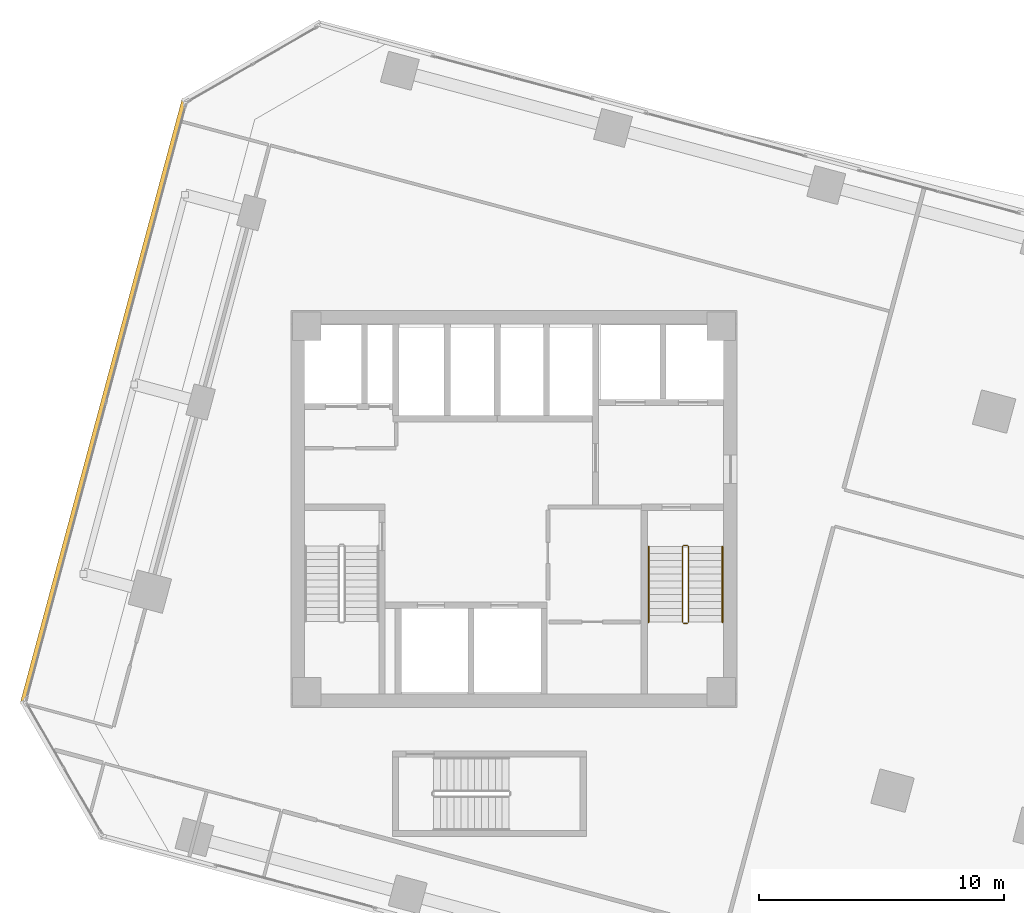
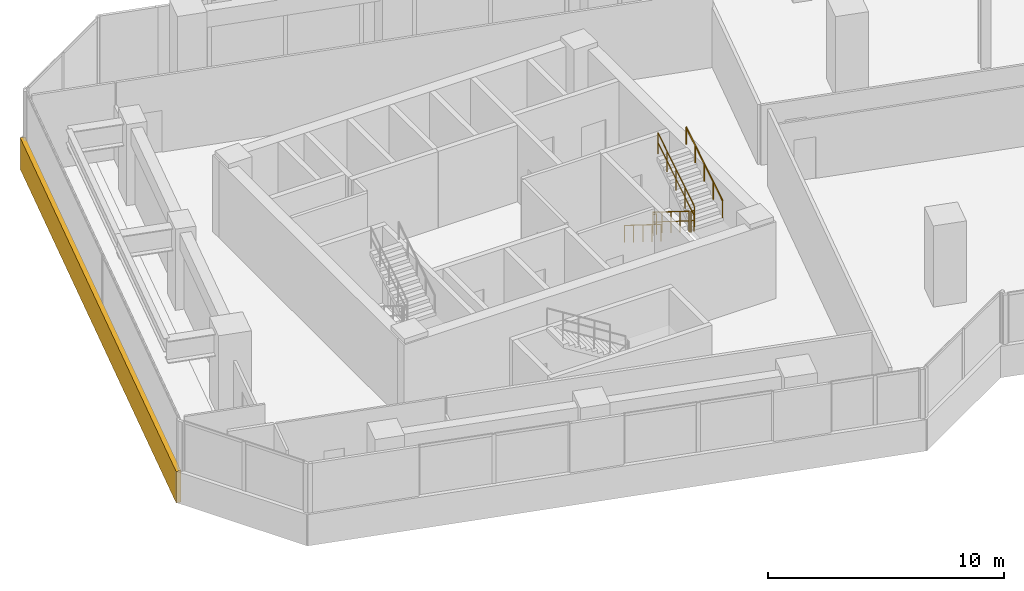
# One storey, part 23 of 26: 6 railings, 1 covering.
"""IFC4 building model written with IfcOpenShell, lengths in metres."""

import ifcopenshell
import ifcopenshell.guid

model = None  # the IFC model being written
_history = None  # IfcOwnerHistory: only IFC2X3 demands one
_inside = {}  # id of a spatial element -> (the spatial element, [elements in it])
_under = {}  # id of a project, library or spatial element -> (it, [spatial elements below it])
_declared = {}  # id of a project -> (the project, [libraries it declares])
_typed = {}  # id of a type object -> (the type object, [elements of that type])
_made_of = {}  # id of a material, layer set ... -> (it, [elements and type objects made of it])


def new_model(schema):
    """Start an empty IFC model of exactly this schema.

    Asked for "IFC4X3", IfcOpenShell would pick the latest addendum, in which some entities
    have other attributes; the version numbers below select the first issue.
    IFC2X3 requires an IfcOwnerHistory on every rooted entity: one is made here for all.
    """
    global model, _history
    if schema == "IFC4X3":
        model = ifcopenshell.file(schema_version=(4, 3, 0, 0))
    else:
        model = ifcopenshell.file(schema=schema)
    _inside.clear()
    _under.clear()
    _declared.clear()
    _typed.clear()
    _made_of.clear()
    _history = None
    if model.schema == "IFC2X3":
        org = make("IfcOrganization", Name="unknown")
        user = make(
            "IfcPersonAndOrganization",
            ThePerson=make("IfcPerson", FamilyName="unknown"),
            TheOrganization=org,
        )
        app = make(
            "IfcApplication",
            ApplicationDeveloper=org,
            Version="unknown",
            ApplicationFullName="unknown",
            ApplicationIdentifier="unknown",
        )
        _history = make(
            "IfcOwnerHistory",
            OwningUser=user,
            OwningApplication=app,
            ChangeAction="ADDED",
            CreationDate=0,
        )
    return model


def make(cls, **values):
    """One entity of the class cls with the attributes given. An attribute that is None is left unset."""
    return model.create_entity(
        cls, **{name: value for name, value in values.items() if value is not None}
    )


def rooted(cls, **values):
    """An entity with a GlobalId (a new one), such as an element, a storey or a relation."""
    return make(cls, GlobalId=ifcopenshell.guid.new(), OwnerHistory=_history, **values)


def si_unit(unit_type, name, prefix=None):
    """IfcSIUnit, for example si_unit("LENGTHUNIT", "METRE", prefix="MILLI")."""
    return make("IfcSIUnit", UnitType=unit_type, Prefix=prefix, Name=name)


def assignment(units):
    """IfcUnitAssignment: the units of a project."""
    return None if units is None else make("IfcUnitAssignment", Units=units)


def point(xyz):
    """IfcCartesianPoint."""
    return None if xyz is None else make("IfcCartesianPoint", Coordinates=xyz)


def direction(xyz):
    """IfcDirection."""
    return None if xyz is None else make("IfcDirection", DirectionRatios=xyz)


def frame(location, z_axis=None, x_axis=None):
    """IfcAxis2Placement3D, a coordinate frame: its origin and axes. An axis left out is left unset."""
    return make(
        "IfcAxis2Placement3D",
        Location=point(location),
        Axis=direction(z_axis),
        RefDirection=direction(x_axis),
    )


def frame_2d(location, x_axis=None):
    """IfcAxis2Placement2D, a coordinate frame in the plane: its origin and x axis."""
    return make(
        "IfcAxis2Placement2D", Location=point(location), RefDirection=direction(x_axis)
    )


def origin():
    """The frame at (0, 0, 0) with its axes left unset."""
    return frame((0.0, 0.0, 0.0))


def origin_2d():
    """The frame at (0, 0) in the plane with its x axis left unset."""
    return frame_2d((0.0, 0.0))


def place(relative_to, where):
    """IfcLocalPlacement: puts the frame where relative to a parent placement (None: the world)."""
    return make(
        "IfcLocalPlacement", PlacementRelTo=relative_to, RelativePlacement=where
    )


def context(
    kind, dimensions, precision=None, world=None, true_north=None, identifier=None
):
    """IfcGeometricRepresentationContext, for example the 3D "Model" context."""
    return make(
        "IfcGeometricRepresentationContext",
        ContextIdentifier=identifier,
        ContextType=kind,
        CoordinateSpaceDimension=dimensions,
        Precision=precision,
        WorldCoordinateSystem=world,
        TrueNorth=true_north,
    )


def subcontext(parent, identifier, kind, view, scale=None):
    """IfcGeometricRepresentationSubContext, for example "Body" below "Model"."""
    return make(
        "IfcGeometricRepresentationSubContext",
        ContextIdentifier=identifier,
        ContextType=kind,
        ParentContext=parent,
        TargetScale=scale,
        TargetView=view,
    )


def project(units=None, contexts=None):
    """IfcProject with its units and contexts."""
    return rooted(
        "IfcProject",
        Name="project",
        RepresentationContexts=contexts,
        UnitsInContext=assignment(units),
    )


def spatial(cls, under=None, at=None, **own):
    """A site, building, storey or space (cls), placed at a placement, below another one or the project."""
    s = rooted(cls, ObjectPlacement=at, **own)
    if under is not None:
        _under.setdefault(under.id(), (under, []))[1].append(s)
    return s


def profile(cls, at=None, kind="AREA", **sizes):
    """A parametric profile (cls). Its sizes go by their IFC names, for example OverallWidth=200.0."""
    return make(cls, ProfileType=kind, Position=at, **sizes)


def rectangle(**sizes):
    """IfcRectangleProfileDef."""
    return profile("IfcRectangleProfileDef", **sizes)


def circle(**sizes):
    """IfcCircleProfileDef."""
    return profile("IfcCircleProfileDef", **sizes)


def extrude(swept, where, along, depth):
    """IfcExtrudedAreaSolid: the profile swept, set in the frame where, extruded along a direction by depth."""
    return make(
        "IfcExtrudedAreaSolid",
        SweptArea=swept,
        Position=where,
        ExtrudedDirection=direction(along),
        Depth=depth,
    )


def shape(context_of_items, identifier, shape_type, items):
    """IfcShapeRepresentation: the items that make up one representation, for example the "Body"."""
    return make(
        "IfcShapeRepresentation",
        ContextOfItems=context_of_items,
        RepresentationIdentifier=identifier,
        RepresentationType=shape_type,
        Items=items,
    )


def source(mapping_origin, context_of_items, identifier, shape_type, items):
    """IfcRepresentationMap: a shape defined once, which mapped items show again and again."""
    return make(
        "IfcRepresentationMap",
        MappingOrigin=mapping_origin,
        MappedRepresentation=shape(context_of_items, identifier, shape_type, items),
    )


def transform(
    local_origin,
    x_axis=None,
    y_axis=None,
    z_axis=None,
    scale=None,
    scale2=None,
    scale3=None,
    uniform=True,
):
    """IfcCartesianTransformationOperator3D, or its non-uniform kind. x_axis, y_axis, z_axis: its Axis1, 2, 3."""
    if uniform:
        return make(
            "IfcCartesianTransformationOperator3D",
            Axis1=direction(x_axis),
            Axis2=direction(y_axis),
            LocalOrigin=point(local_origin),
            Scale=scale,
            Axis3=direction(z_axis),
        )
    return make(
        "IfcCartesianTransformationOperator3DnonUniform",
        Axis1=direction(x_axis),
        Axis2=direction(y_axis),
        LocalOrigin=point(local_origin),
        Scale=scale,
        Axis3=direction(z_axis),
        Scale2=scale2,
        Scale3=scale3,
    )


def mapped(mapping_source, mapping_target):
    """IfcMappedItem: shows the shape of a source again, moved by a transform."""
    return make(
        "IfcMappedItem", MappingSource=mapping_source, MappingTarget=mapping_target
    )


def material(Name=None, Category=None):
    """IfcMaterial."""
    return make("IfcMaterial", Name=Name, Category=Category)


def layer(
    of_material, thickness, ventilated=None, Name=None, Category=None, Priority=None
):
    """IfcMaterialLayer: one layer of a wall or slab, of a material (None: an air gap)."""
    return make(
        "IfcMaterialLayer",
        Material=of_material,
        LayerThickness=thickness,
        IsVentilated=ventilated,
        Name=Name,
        Category=Category,
        Priority=Priority,
    )


def layer_set(layers, Name=None):
    """IfcMaterialLayerSet."""
    return make("IfcMaterialLayerSet", MaterialLayers=layers, LayerSetName=Name)


def made_of(thing, what):
    """Note that an element or type object is made of a material, layer set ...; save() writes the relation."""
    if what is not None:
        _made_of.setdefault(what.id(), (what, []))[1].append(thing)
    return thing


def type_object(cls, material=None, **own):
    """A type object (cls), such as IfcWallType, which elements share."""
    return made_of(rooted(cls, **own), material)


def element(
    cls,
    number,
    at=None,
    inside=None,
    cuts=None,
    type_object=None,
    material=None,
    context=None,
    identifier="Body",
    shape_type=None,
    held_by="IfcProductDefinitionShape",
    body=None,
    shapes=None,
    **own,
):
    """One element of the class cls, such as IfcWall. Its Tag is "e" and its number.

    at: its placement. inside: the storey or other place that contains it. cuts: it is an
    opening in that element (IfcRelVoidsElement). A single representation is given by context,
    identifier, shape_type and body (its items); several are given by shapes. held_by: the class
    of the entity that holds the representations. save() writes the other relations.
    """
    e = rooted(cls, Tag="e%d" % number, ObjectPlacement=at, **own)
    if body is not None:
        shapes = [shape(context, identifier, shape_type, body)]
    if shapes is not None:
        e.Representation = make(held_by, Representations=shapes)
    if inside is not None:
        _inside.setdefault(inside.id(), (inside, []))[1].append(e)
    if cuts is not None:
        rooted(
            "IfcRelVoidsElement", RelatingBuildingElement=cuts, RelatedOpeningElement=e
        )
    if type_object is not None:
        _typed.setdefault(type_object.id(), (type_object, []))[1].append(e)
    return made_of(e, material)


def aggregate(whole, parts):
    """IfcRelAggregates: a whole, such as a stair, and the parts it consists of."""
    return rooted("IfcRelAggregates", RelatingObject=whole, RelatedObjects=parts)


def save(model, path):
    """Write the relations noted so far, then the file.

    IfcRelAggregates (storeys below a building ...), IfcRelContainedInSpatialStructure (elements
    in a storey), IfcRelDefinesByType, IfcRelAssociatesMaterial and IfcRelDeclares: one each for
    every whole, place, type object, material and project.
    """
    for whole, parts in _under.values():
        aggregate(whole, parts)
    for where, things in _inside.values():
        rooted(
            "IfcRelContainedInSpatialStructure",
            RelatedElements=things,
            RelatingStructure=where,
        )
    for kind, things in _typed.values():
        rooted("IfcRelDefinesByType", RelatedObjects=things, RelatingType=kind)
    for what, things in _made_of.values():
        rooted("IfcRelAssociatesMaterial", RelatedObjects=things, RelatingMaterial=what)
    for by, libraries in _declared.values():
        rooted("IfcRelDeclares", RelatingContext=by, RelatedDefinitions=libraries)
    model.write(path)


model = new_model("IFC4")

# Units and contexts
model_context = context("Model", 3, precision=1e-05, world=origin(), true_north=direction((0.0, 1.0)))
body_context = subcontext(model_context, "Body", "Model", "MODEL_VIEW")
ifc_project = project(units=[si_unit("LENGTHUNIT", "METRE"), si_unit("AREAUNIT", "SQUARE_METRE"), si_unit("VOLUMEUNIT", "CUBIC_METRE"), si_unit("PLANEANGLEUNIT", "RADIAN"), si_unit("MASSUNIT", "GRAM", prefix="KILO")], contexts=[model_context])

# Site, building, storey
site_placement = place(None, origin())
site = spatial("IfcSite", under=ifc_project, at=site_placement, CompositionType="ELEMENT")
building_placement = place(site_placement, origin())
building = spatial("IfcBuilding", under=site, at=building_placement, Name="Torre Montelarca", CompositionType="ELEMENT")
storey_placement = place(building_placement, frame((0.0, 0.0, 100.0)))
storey = spatial("IfcBuildingStorey", under=building, at=storey_placement, Name="L22", CompositionType="ELEMENT", Elevation=100.0)

# Railings
ifc_material_1 = material(Name="Powder-coated steel ASTM A500 Grade C", Category="steel")
railing_type_1 = type_object("IfcRailingType", Name="RL-GUARD-1100", PredefinedType="BALUSTRADE", material=ifc_material_1)
railing_1_placement = place(storey_placement, frame((24.8701171875, 30.469970703125, 0.175048828125)))
element("IfcRailing", 1, at=railing_1_placement, inside=storey, type_object=railing_type_1, Name="L22 ST2 stair guard 1", PredefinedType="BALUSTRADE", context=body_context, shape_type="SweptSolid", body=[
    extrude(circle(Radius=0.02392578125, at=origin_2d()), frame((0.0, 0.0, 1.076171875), z_axis=(0.0, -0.847998304005, 0.529998940003), x_axis=(1.0, 0.0, 0.0)), (0.0, 0.0, 1.0), 3.632080078125),
    extrude(circle(Radius=0.02099609375, at=origin_2d()), frame((0.0, 0.0, 0.572021484375), z_axis=(0.0, -0.847998304005, 0.529998940003), x_axis=(1.0, 0.0, 0.0)), (0.0, 0.0, 1.0), 3.632080078125),
    extrude(circle(Radius=0.02099609375, at=origin_2d()), origin(), (0.0, 0.0, 1.0), 1.052001953125),
    extrude(circle(Radius=0.02099609375, at=origin_2d()), frame((0.0, -0.77001953125, 0.481201171875)), (0.0, 0.0, 1.0), 1.052001953125),
    extrude(circle(Radius=0.02099609375, at=origin_2d()), frame((0.0, -1.5400390625, 0.96240234375)), (0.0, 0.0, 1.0), 1.052001953125),
    extrude(circle(Radius=0.02099609375, at=origin_2d()), frame((0.0, -2.31005859375, 1.44384765625)), (0.0, 0.0, 1.0), 1.052001953125),
    extrude(circle(Radius=0.02099609375, at=origin_2d()), frame((0.0, -3.080078125, 1.925048828125)), (0.0, 0.0, 1.0), 1.052001953125),
])
railing_2_placement = place(storey_placement, frame((24.919921875, 27.340087890625, 2.10009765625)))
element("IfcRailing", 2, at=railing_2_placement, inside=storey, type_object=railing_type_1, Name="L22 ST2 stair guard 2", PredefinedType="BALUSTRADE", context=body_context, shape_type="SweptSolid", body=[
    extrude(circle(Radius=0.02392578125, at=origin_2d()), frame((0.0, 0.0, 1.076171875), z_axis=(1.0, 0.0, 0.0), x_axis=(0.0, 1.0, 0.0)), (0.0, 0.0, 1.0), 0.150146484375),
    extrude(circle(Radius=0.02099609375, at=origin_2d()), frame((0.0, 0.0, 0.572021484375), z_axis=(1.0, 0.0, 0.0), x_axis=(0.0, 1.0, 0.0)), (0.0, 0.0, 1.0), 0.150146484375),
    extrude(circle(Radius=0.02099609375, at=origin_2d()), origin(), (0.0, 0.0, 1.0), 1.052001953125),
    extrude(circle(Radius=0.02099609375, at=origin_2d()), frame((0.150146484375, 0.0, 0.0)), (0.0, 0.0, 1.0), 1.052001953125),
])
railing_3_placement = place(storey_placement, frame((25.1201171875, 27.389892578125, 2.27490234375)))
element("IfcRailing", 3, at=railing_3_placement, inside=storey, type_object=railing_type_1, Name="L22 ST2 stair guard 3", PredefinedType="BALUSTRADE", context=body_context, shape_type="SweptSolid", body=[
    extrude(circle(Radius=0.02392578125, at=origin_2d()), frame((0.0, 0.0, 1.076171875), z_axis=(0.0, 0.847998304005, 0.529998940003), x_axis=(-1.0, 0.0, 0.0)), (0.0, 0.0, 1.0), 3.632080078125),
    extrude(circle(Radius=0.02099609375, at=origin_2d()), frame((0.0, 0.0, 0.572021484375), z_axis=(0.0, 0.847998304005, 0.529998940003), x_axis=(-1.0, 0.0, 0.0)), (0.0, 0.0, 1.0), 3.632080078125),
    extrude(circle(Radius=0.02099609375, at=origin_2d()), origin(), (0.0, 0.0, 1.0), 1.052001953125),
    extrude(circle(Radius=0.02099609375, at=origin_2d()), frame((0.0, 0.77001953125, 0.481201171875)), (0.0, 0.0, 1.0), 1.052001953125),
    extrude(circle(Radius=0.02099609375, at=origin_2d()), frame((0.0, 1.5400390625, 0.96240234375)), (0.0, 0.0, 1.0), 1.052001953125),
    extrude(circle(Radius=0.02099609375, at=origin_2d()), frame((0.0, 2.31005859375, 1.44384765625)), (0.0, 0.0, 1.0), 1.052001953125),
    extrude(circle(Radius=0.02099609375, at=origin_2d()), frame((0.0, 3.080078125, 1.925048828125)), (0.0, 0.0, 1.0), 1.052001953125),
])
railing_4_placement = place(storey_placement, frame((24.919921875, 30.52001953125, 0.0)))
element("IfcRailing", 4, at=railing_4_placement, inside=storey, type_object=railing_type_1, Name="L22 ST2 stair guard 4", PredefinedType="BALUSTRADE", context=body_context, shape_type="SweptSolid", body=[
    extrude(circle(Radius=0.02392578125, at=origin_2d()), frame((0.0, 0.0, 1.076171875), z_axis=(1.0, 0.0, 0.0), x_axis=(0.0, 1.0, 0.0)), (0.0, 0.0, 1.0), 0.150146484375),
    extrude(circle(Radius=0.02099609375, at=origin_2d()), frame((0.0, 0.0, 0.572021484375), z_axis=(1.0, 0.0, 0.0), x_axis=(0.0, 1.0, 0.0)), (0.0, 0.0, 1.0), 0.150146484375),
    extrude(circle(Radius=0.02099609375, at=origin_2d()), origin(), (0.0, 0.0, 1.0), 1.052001953125),
    extrude(circle(Radius=0.02099609375, at=origin_2d()), frame((0.150146484375, 0.0, 0.0)), (0.0, 0.0, 1.0), 1.052001953125),
])
ifc_material_2 = material(Name="Brushed stainless steel AISI 316", Category="steel")
railing_type_2 = type_object("IfcRailingType", Name="RL-HANDRAIL-900", PredefinedType="HANDRAIL", material=ifc_material_2)
railing_5_placement = place(storey_placement, frame((23.489990234375, 30.469970703125, 0.175048828125)))
element("IfcRailing", 5, at=railing_5_placement, inside=storey, type_object=railing_type_2, Name="L22 ST2 stair handrail 1", PredefinedType="HANDRAIL", context=body_context, shape_type="SweptSolid", body=[
    extrude(circle(Radius=0.02392578125, at=origin_2d()), frame((0.0, 0.0, 0.8759765625), z_axis=(0.0, -0.847998304005, 0.529998940003), x_axis=(1.0, 0.0, 0.0)), (0.0, 0.0, 1.0), 3.632080078125),
    extrude(circle(Radius=0.02099609375, at=origin_2d()), origin(), (0.0, 0.0, 1.0), 0.851806640625),
    extrude(circle(Radius=0.02099609375, at=origin_2d()), frame((0.0, -0.77001953125, 0.481201171875)), (0.0, 0.0, 1.0), 0.851806640625),
    extrude(circle(Radius=0.02099609375, at=origin_2d()), frame((0.0, -1.5400390625, 0.96240234375)), (0.0, 0.0, 1.0), 0.851806640625),
    extrude(circle(Radius=0.02099609375, at=origin_2d()), frame((0.0, -2.31005859375, 1.44384765625)), (0.0, 0.0, 1.0), 0.851806640625),
    extrude(circle(Radius=0.02099609375, at=origin_2d()), frame((0.0, -3.080078125, 1.925048828125)), (0.0, 0.0, 1.0), 0.851806640625),
])
railing_6_placement = place(storey_placement, frame((26.5, 27.389892578125, 2.27490234375)))
element("IfcRailing", 6, at=railing_6_placement, inside=storey, type_object=railing_type_2, Name="L22 ST2 stair handrail 2", PredefinedType="HANDRAIL", context=body_context, shape_type="SweptSolid", body=[
    extrude(circle(Radius=0.02392578125, at=origin_2d()), frame((0.0, 0.0, 0.8759765625), z_axis=(0.0, 0.847998304005, 0.529998940003), x_axis=(-1.0, 0.0, 0.0)), (0.0, 0.0, 1.0), 3.632080078125),
    extrude(circle(Radius=0.02099609375, at=origin_2d()), origin(), (0.0, 0.0, 1.0), 0.851806640625),
    extrude(circle(Radius=0.02099609375, at=origin_2d()), frame((0.0, 0.77001953125, 0.481201171875)), (0.0, 0.0, 1.0), 0.851806640625),
    extrude(circle(Radius=0.02099609375, at=origin_2d()), frame((0.0, 1.5400390625, 0.96240234375)), (0.0, 0.0, 1.0), 0.851806640625),
    extrude(circle(Radius=0.02099609375, at=origin_2d()), frame((0.0, 2.31005859375, 1.44384765625)), (0.0, 0.0, 1.0), 0.851806640625),
    extrude(circle(Radius=0.02099609375, at=origin_2d()), frame((0.0, 3.080078125, 1.925048828125)), (0.0, 0.0, 1.0), 0.851806640625),
])

# Covering
ifc_material_3 = material(Name="Bush-hammered warm white precast concrete C45/55", Category="concrete")
ifc_layer = layer(ifc_material_3, 0.139892578125, Name="Bush-hammered warm white precast concrete C45/55", Category="concrete")
ifc_layer_set = layer_set([ifc_layer], Name="Bush-hammered warm white precast concrete C45/55")
covering_type = type_object("IfcCoveringType", Name="COV-TRAY-CLAD", PredefinedType="CLADDING", material=ifc_layer_set)
shared_shape = source(origin(), body_context, "Body", "SweptSolid", [
    extrude(rectangle(XDim=25.52001953125, YDim=0.219970703125, at=origin_2d()), origin(), (0.0, 0.0, 1.0), 1.6201171875),
])
covering_placement = place(storey_placement, frame((1.275390625, 36.3837890625, -0.449951171875), z_axis=(0.0, 0.0, 1.0), x_axis=(-0.258819045103, -0.965925826289, 0.0)))
element("IfcCovering", 7, at=covering_placement, inside=storey, type_object=covering_type, Name="L22 Architectural White Spandrel Tray Band TRYBOT-10", PredefinedType="CLADDING", context=body_context, shape_type="MappedRepresentation", body=[
    mapped(shared_shape, transform((0.0, 0.0, 0.0), scale=1.0)),
])

save(model, "model.ifc")
